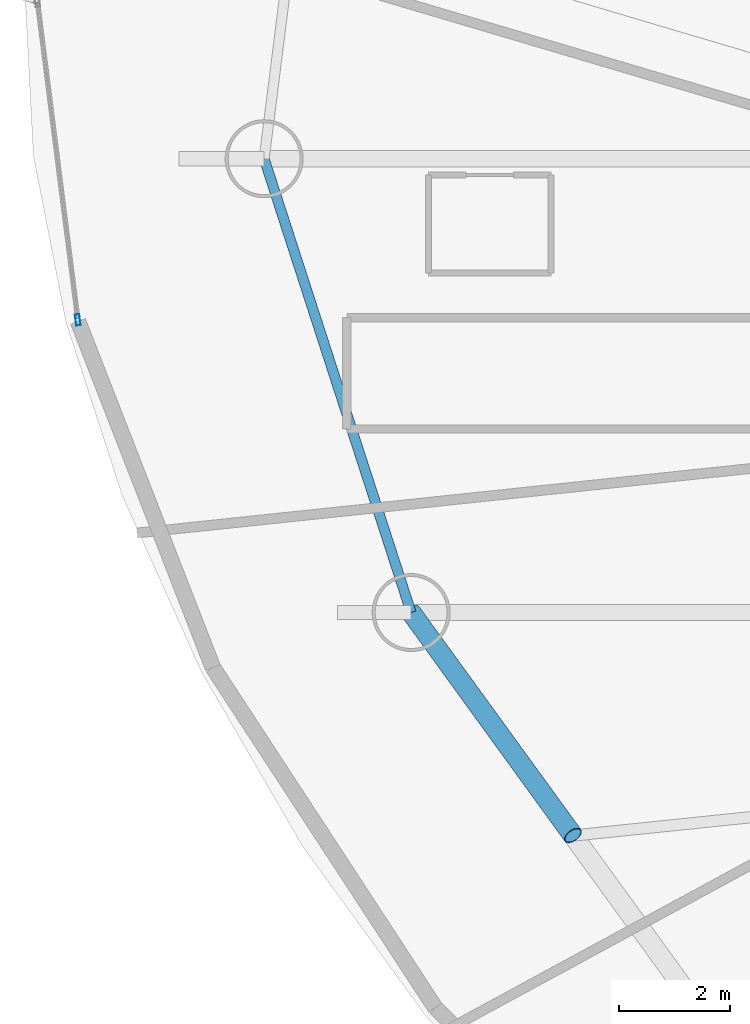
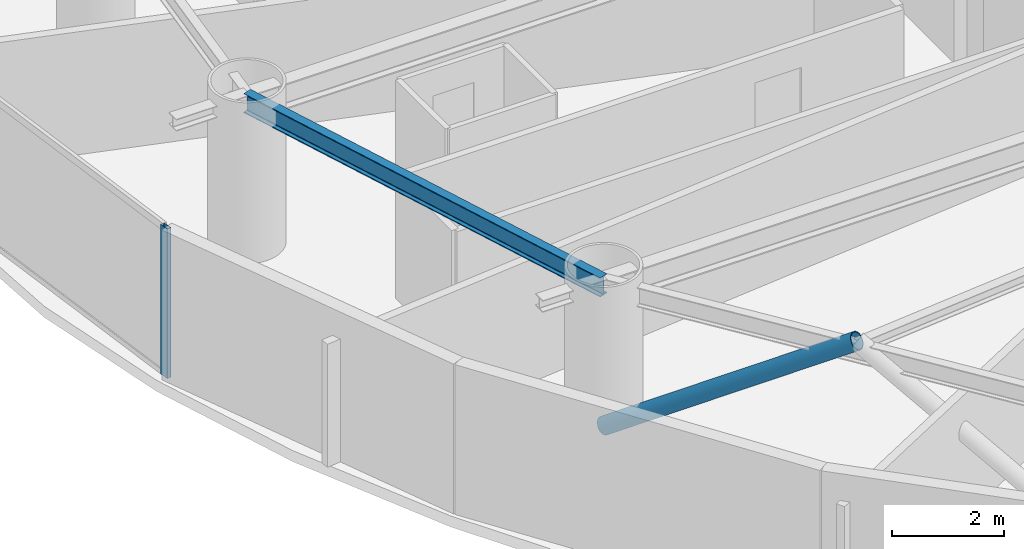
# One storey, part 4 of 26: 2 members, 1 beam, 1 element without a shape of its own.
"""IFC4 building model written with IfcOpenShell, lengths in metres."""

from ifc_helpers import new_model, si_unit, direction, frame, origin, origin_2d, place, context, subcontext, project, spatial, hollow_rectangle, hollow_circle, i_section, extrude, material, layer, layer_set, material_profile, profile_set, type_object, element, aggregate, save


model = new_model("IFC4")

# Units and contexts
model_context = context("Model", 3, precision=1e-05, world=origin(), true_north=direction((0.0, 1.0)))
body_context = subcontext(model_context, "Body", "Model", "MODEL_VIEW")
ifc_project = project(units=[si_unit("LENGTHUNIT", "METRE"), si_unit("AREAUNIT", "SQUARE_METRE"), si_unit("VOLUMEUNIT", "CUBIC_METRE"), si_unit("PLANEANGLEUNIT", "RADIAN"), si_unit("MASSUNIT", "GRAM", prefix="KILO")], contexts=[model_context])

# Site, building, storey
site_placement = place(None, origin())
site = spatial("IfcSite", under=ifc_project, at=site_placement, CompositionType="ELEMENT")
building_placement = place(site_placement, origin())
building = spatial("IfcBuilding", under=site, at=building_placement, Name="Bramvorn Convention Spire", CompositionType="ELEMENT")
storey_placement = place(building_placement, frame((0.0, 0.0, 123.800048828125)))
storey = spatial("IfcBuildingStorey", under=building, at=storey_placement, Name="L30", CompositionType="ELEMENT", Elevation=123.800048828125)

# Beam
ifc_material_1 = material(Name="Steel CSA G40.21 Grade 350 (350W)", Category="steel")
ifc_material_profile_1 = material_profile(ifc_material_1, i_section(OverallWidth=0.180908203125, OverallDepth=0.4169921875, WebThickness=0.010986328125, FlangeThickness=0.018310546875, FilletRadius=0.01611328125, at=origin_2d()))
ifc_profile_set_1 = profile_set([ifc_material_profile_1], Name="Steel CSA G40.21 Grade 350 (350W) - W410X85")
beam_type = type_object("IfcBeamType", Name="BM-W410X85", PredefinedType="JOIST", material=ifc_profile_set_1)
beam_placement = place(storey_placement, frame((13.016357421875, 29.851806640625, 3.051513671875), z_axis=(0.308114853612, -0.951349166701, 0.0), x_axis=(0.951349166701, 0.308114853612, 0.0)))
element("IfcBeam", 1, at=beam_placement, inside=storey, type_object=beam_type, Name="L30 mega-column ring beam 10", PredefinedType="JOIST", context=body_context, shape_type="SweptSolid", body=[
    extrude(i_section(OverallWidth=0.180908203125, OverallDepth=0.4169921875, WebThickness=0.010986328125, FlangeThickness=0.018310546875, FilletRadius=0.01611328125, at=origin_2d()), origin(), (0.0, 0.0, 1.0), 8.5615234375),
])

# Curtain wall, member
ifc_material_2 = material(Name="Anodised Bronze Unitised Curtain Wall", Category="aluminium")
ifc_layer = layer(ifc_material_2, 0.179931640625)
ifc_layer_set = layer_set([ifc_layer], Name="Anodised Bronze Unitised Curtain Wall - CW-HTL-FRIT")
curtain_wall_type = type_object("IfcCurtainWallType", Name="CW-HTL-FRIT", PredefinedType="USERDEFINED", material=ifc_layer_set)
curtain_wall_placement = place(storey_placement, origin())
curtain_wall = element("IfcCurtainWall", 2, at=curtain_wall_placement, inside=storey, type_object=curtain_wall_type, Name="L30 fritted glass curtain wall 14", ObjectType="UNITISED CURTAIN WALL", PredefinedType="USERDEFINED")
ifc_material_3 = material(Name="Anodised Bronze Aluminium 6063-T6", Category="aluminium")
ifc_material_profile_2 = material_profile(ifc_material_3, hollow_rectangle(XDim=0.080078125, YDim=0.199951171875, WallThickness=0.00390625, InnerFilletRadius=0.0009765625, OuterFilletRadius=0.00390625, at=origin_2d()))
ifc_profile_set_2 = profile_set([ifc_material_profile_2], Name="Anodised Bronze Aluminium 6063-T6 - CWM80X200")
member_type_1 = type_object("IfcMemberType", Name="CW-MUL-180", PredefinedType="MULLION", material=ifc_profile_set_2)
member_1_placement = place(storey_placement, frame((9.6728515625, 26.959716796875, 0.0), z_axis=(0.0, 0.0, 1.0), x_axis=(-0.99202081265, -0.12607421334, 0.0)))
member_1 = element("IfcMember", 3, at=member_1_placement, type_object=member_type_1, Name="CW2 mullion 1", PredefinedType="MULLION", context=body_context, shape_type="SweptSolid", body=[
    extrude(hollow_rectangle(XDim=0.080078125, YDim=0.199951171875, WallThickness=0.00390625, InnerFilletRadius=0.0009765625, OuterFilletRadius=0.00390625, at=origin_2d()), origin(), (0.0, 0.0, 1.0), 3.260009765625),
])
aggregate(curtain_wall, [member_1])

# Member
ifc_material_profile_3 = material_profile(ifc_material_1, hollow_circle(Radius=0.177734375, WallThickness=0.015869140625, at=origin_2d()))
ifc_profile_set_3 = profile_set([ifc_material_profile_3], Name="Steel CSA G40.21 Grade 350 (350W) - CHS356X16")
member_type_2 = type_object("IfcMemberType", Name="MBR-CHS356X16", PredefinedType="BRACE", material=ifc_profile_set_3)
member_2_placement = place(storey_placement, frame((15.654296875, 21.706787109375, 0.0), z_axis=(0.490469921938, -0.675720094118, 0.55031046699), x_axis=(0.809284280508, 0.587417188481, 0.0)))
element("IfcMember", 4, at=member_2_placement, inside=storey, type_object=member_type_2, Name="L30 perimeter Gothic lancet brace 11A", PredefinedType="BRACE", context=body_context, shape_type="SweptSolid", body=[
    extrude(hollow_circle(Radius=0.177734375, WallThickness=0.015869140625, at=origin_2d()), origin(), (0.0, 0.0, 1.0), 5.923828125),
])

save(model, "model.ifc")
